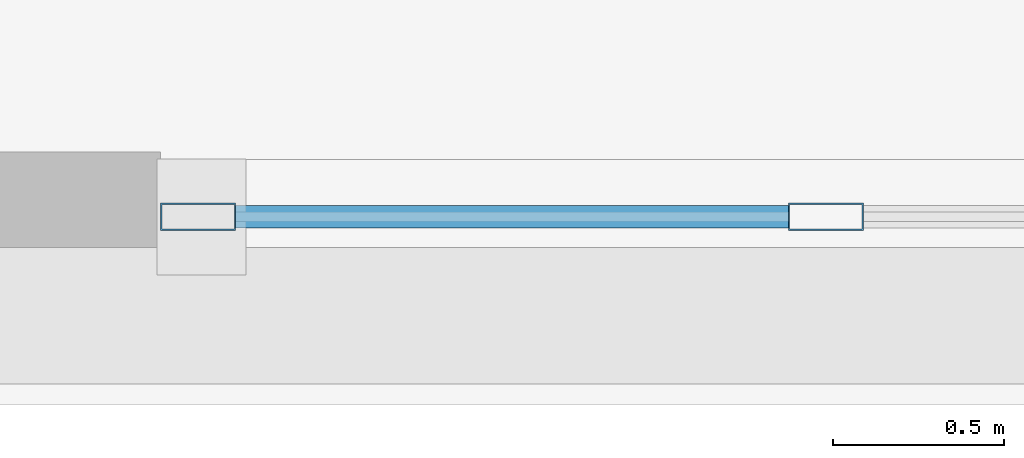
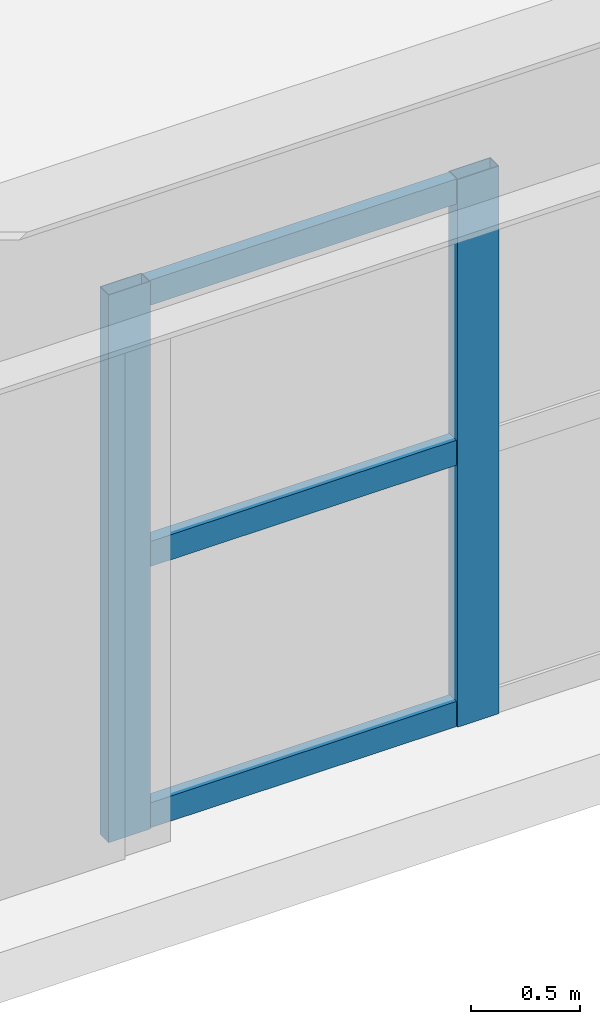
# One storey, part 2 of 22: 5 members, 1 element without a shape of its own.
"""IFC4 building model written with IfcOpenShell, lengths in metres."""

from ifc_helpers import new_model, si_unit, direction, frame, origin, origin_2d, place, context, subcontext, project, spatial, hollow_rectangle, extrude, material, layer, layer_set, material_profile, profile_set, type_object, element, aggregate, save


model = new_model("IFC4")

# Units and contexts
model_context = context("Model", 3, precision=1e-05, world=origin(), true_north=direction((0.0, 1.0)))
body_context = subcontext(model_context, "Body", "Model", "MODEL_VIEW")
ifc_project = project(units=[si_unit("LENGTHUNIT", "METRE"), si_unit("AREAUNIT", "SQUARE_METRE"), si_unit("VOLUMEUNIT", "CUBIC_METRE"), si_unit("PLANEANGLEUNIT", "RADIAN"), si_unit("MASSUNIT", "GRAM", prefix="KILO")], contexts=[model_context])

# Site, building, storey
site_placement = place(None, origin())
site = spatial("IfcSite", under=ifc_project, at=site_placement, CompositionType="ELEMENT")
building_placement = place(site_placement, origin())
building = spatial("IfcBuilding", under=site, at=building_placement, Name="Oramaril Tower", CompositionType="ELEMENT")
storey_placement = place(building_placement, frame((0.0, 0.0, 14.10009765625)))
storey = spatial("IfcBuildingStorey", under=building, at=storey_placement, Name="L03", CompositionType="ELEMENT", Elevation=14.10009765625)

# Curtain wall, members
ifc_material_1 = material(Name="Anodised Aluminium 6063-T6", Category="aluminium")
ifc_layer = layer(ifc_material_1, 0.219970703125)
ifc_layer_set = layer_set([ifc_layer], Name="CWT-SYS2")
curtain_wall_type = type_object("IfcCurtainWallType", Name="CWT-SYS2", PredefinedType="NOTDEFINED", material=ifc_layer_set)
curtain_wall_placement = place(storey_placement, origin())
curtain_wall = element("IfcCurtainWall", 1, at=curtain_wall_placement, inside=storey, type_object=curtain_wall_type, Name="L03 Unitised Curtain Wall CW-2", PredefinedType="NOTDEFINED")
ifc_material_2 = material(Name="Anodised Aluminium 6063-T6", Category="aluminium")
ifc_material_profile_1 = material_profile(ifc_material_2, hollow_rectangle(XDim=0.080078125, YDim=0.219970703125, WallThickness=0.00390625, at=origin_2d()), Name="CWM220X80")
ifc_profile_set_1 = profile_set([ifc_material_profile_1], Name="Anodised Aluminium 6063-T6")
member_type_1 = type_object("IfcMemberType", Name="MT-CWM1", PredefinedType="MULLION", material=ifc_profile_set_1)
member_1_placement = place(storey_placement, frame((33.7099609375, 1.64990234375, 0.0), z_axis=(0.0, 0.0, 1.0), x_axis=(0.0, 1.0, 0.0)))
member_1 = element("IfcMember", 2, at=member_1_placement, type_object=member_type_1, Name="CW-2 mullion 1", PredefinedType="MULLION", context=body_context, shape_type="SweptSolid", body=[
    extrude(hollow_rectangle(XDim=0.080078125, YDim=0.219970703125, WallThickness=0.00390625, at=origin_2d()), origin(), (0.0, 0.0, 1.0), 3.053955078125),
])
member_2_placement = place(storey_placement, frame((35.550048828125, 1.64990234375, 0.0), z_axis=(0.0, 0.0, 1.0), x_axis=(0.0, 1.0, 0.0)))
member_2 = element("IfcMember", 3, at=member_2_placement, type_object=member_type_1, Name="CW-2 mullion 2", PredefinedType="MULLION", context=body_context, shape_type="SweptSolid", body=[
    extrude(hollow_rectangle(XDim=0.080078125, YDim=0.219970703125, WallThickness=0.00390625, at=origin_2d()), origin(), (0.0, 0.0, 1.0), 3.053955078125),
])
ifc_material_3 = material(Name="Anodised Aluminium 6063-T6", Category="aluminium")
ifc_material_profile_2 = material_profile(ifc_material_3, hollow_rectangle(XDim=0.06494140625, YDim=0.139892578125, WallThickness=0.00390625, at=origin_2d()), Name="CWT140X65")
ifc_profile_set_2 = profile_set([ifc_material_profile_2], Name="Anodised Aluminium 6063-T6")
member_type_2 = type_object("IfcMemberType", Name="MT-CWT2", PredefinedType="USERDEFINED", material=ifc_profile_set_2)
member_3_placement = place(storey_placement, frame((33.820068359375, 1.64990234375, 0.06982421875), z_axis=(1.0, 0.0, 0.0), x_axis=(0.0, 1.0, 0.0)))
member_3 = element("IfcMember", 4, at=member_3_placement, type_object=member_type_2, Name="CW-2 transom 1.1", ObjectType="TRANSOM", PredefinedType="USERDEFINED", context=body_context, shape_type="SweptSolid", body=[
    extrude(hollow_rectangle(XDim=0.06494140625, YDim=0.139892578125, WallThickness=0.00390625, at=origin_2d()), origin(), (0.0, 0.0, 1.0), 1.619873046875),
])
member_4_placement = place(storey_placement, frame((33.820068359375, 1.64990234375, 1.52685546875), z_axis=(1.0, 0.0, 0.0), x_axis=(0.0, 1.0, 0.0)))
member_4 = element("IfcMember", 5, at=member_4_placement, type_object=member_type_2, Name="CW-2 transom 1.2", ObjectType="TRANSOM", PredefinedType="USERDEFINED", context=body_context, shape_type="SweptSolid", body=[
    extrude(hollow_rectangle(XDim=0.06494140625, YDim=0.139892578125, WallThickness=0.00390625, at=origin_2d()), origin(), (0.0, 0.0, 1.0), 1.619873046875),
])
member_5_placement = place(storey_placement, frame((33.820068359375, 1.64990234375, 2.98388671875), z_axis=(1.0, 0.0, 0.0), x_axis=(0.0, 1.0, 0.0)))
member_5 = element("IfcMember", 6, at=member_5_placement, type_object=member_type_2, Name="CW-2 transom 1.3", ObjectType="TRANSOM", PredefinedType="USERDEFINED", context=body_context, shape_type="SweptSolid", body=[
    extrude(hollow_rectangle(XDim=0.06494140625, YDim=0.139892578125, WallThickness=0.00390625, at=origin_2d()), origin(), (0.0, 0.0, 1.0), 1.619873046875),
])
aggregate(curtain_wall, [member_1, member_2, member_3, member_4, member_5])

save(model, "model.ifc")
